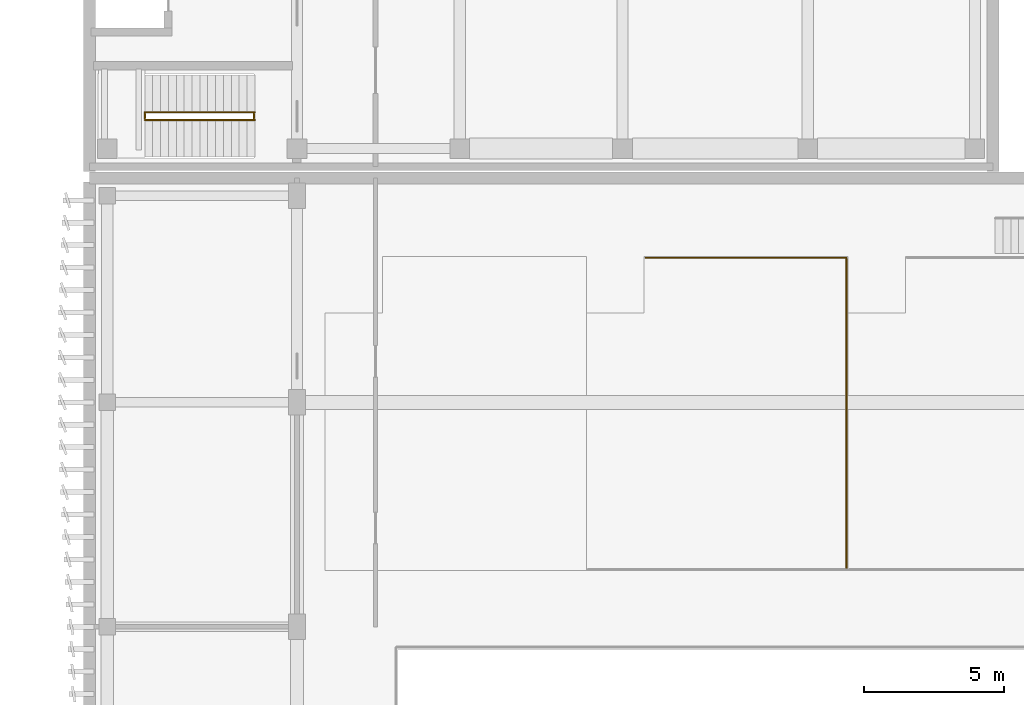
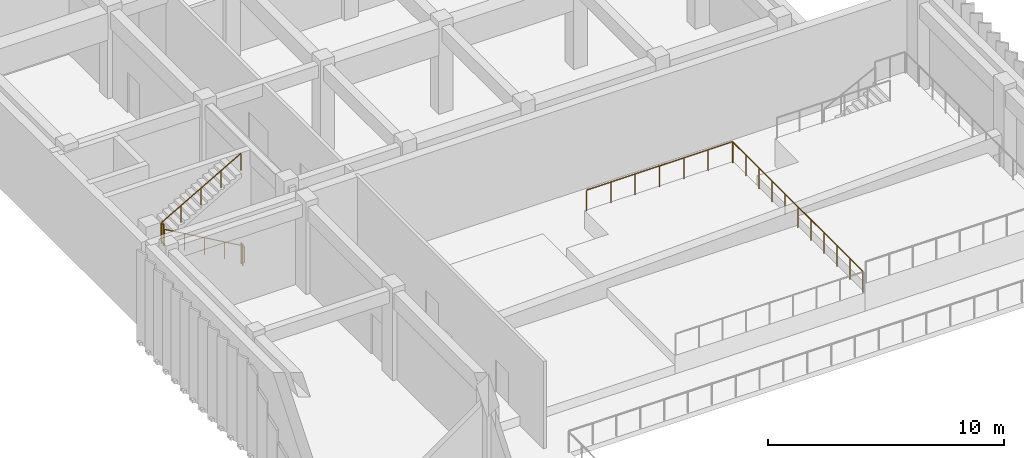
# One storey, part 55 of 64: 6 railings.
"""IFC4 building model written with IfcOpenShell, lengths in metres."""

import ifcopenshell
import ifcopenshell.guid

model = None  # the IFC model being written
_history = None  # IfcOwnerHistory: only IFC2X3 demands one
_inside = {}  # id of a spatial element -> (the spatial element, [elements in it])
_under = {}  # id of a project, library or spatial element -> (it, [spatial elements below it])
_declared = {}  # id of a project -> (the project, [libraries it declares])
_typed = {}  # id of a type object -> (the type object, [elements of that type])
_made_of = {}  # id of a material, layer set ... -> (it, [elements and type objects made of it])


def new_model(schema):
    """Start an empty IFC model of exactly this schema.

    Asked for "IFC4X3", IfcOpenShell would pick the latest addendum, in which some entities
    have other attributes; the version numbers below select the first issue.
    IFC2X3 requires an IfcOwnerHistory on every rooted entity: one is made here for all.
    """
    global model, _history
    if schema == "IFC4X3":
        model = ifcopenshell.file(schema_version=(4, 3, 0, 0))
    else:
        model = ifcopenshell.file(schema=schema)
    _inside.clear()
    _under.clear()
    _declared.clear()
    _typed.clear()
    _made_of.clear()
    _history = None
    if model.schema == "IFC2X3":
        org = make("IfcOrganization", Name="unknown")
        user = make(
            "IfcPersonAndOrganization",
            ThePerson=make("IfcPerson", FamilyName="unknown"),
            TheOrganization=org,
        )
        app = make(
            "IfcApplication",
            ApplicationDeveloper=org,
            Version="unknown",
            ApplicationFullName="unknown",
            ApplicationIdentifier="unknown",
        )
        _history = make(
            "IfcOwnerHistory",
            OwningUser=user,
            OwningApplication=app,
            ChangeAction="ADDED",
            CreationDate=0,
        )
    return model


def make(cls, **values):
    """One entity of the class cls with the attributes given. An attribute that is None is left unset."""
    return model.create_entity(
        cls, **{name: value for name, value in values.items() if value is not None}
    )


def rooted(cls, **values):
    """An entity with a GlobalId (a new one), such as an element, a storey or a relation."""
    return make(cls, GlobalId=ifcopenshell.guid.new(), OwnerHistory=_history, **values)


def si_unit(unit_type, name, prefix=None):
    """IfcSIUnit, for example si_unit("LENGTHUNIT", "METRE", prefix="MILLI")."""
    return make("IfcSIUnit", UnitType=unit_type, Prefix=prefix, Name=name)


def assignment(units):
    """IfcUnitAssignment: the units of a project."""
    return None if units is None else make("IfcUnitAssignment", Units=units)


def point(xyz):
    """IfcCartesianPoint."""
    return None if xyz is None else make("IfcCartesianPoint", Coordinates=xyz)


def direction(xyz):
    """IfcDirection."""
    return None if xyz is None else make("IfcDirection", DirectionRatios=xyz)


def frame(location, z_axis=None, x_axis=None):
    """IfcAxis2Placement3D, a coordinate frame: its origin and axes. An axis left out is left unset."""
    return make(
        "IfcAxis2Placement3D",
        Location=point(location),
        Axis=direction(z_axis),
        RefDirection=direction(x_axis),
    )


def frame_2d(location, x_axis=None):
    """IfcAxis2Placement2D, a coordinate frame in the plane: its origin and x axis."""
    return make(
        "IfcAxis2Placement2D", Location=point(location), RefDirection=direction(x_axis)
    )


def origin():
    """The frame at (0, 0, 0) with its axes left unset."""
    return frame((0.0, 0.0, 0.0))


def origin_2d():
    """The frame at (0, 0) in the plane with its x axis left unset."""
    return frame_2d((0.0, 0.0))


def place(relative_to, where):
    """IfcLocalPlacement: puts the frame where relative to a parent placement (None: the world)."""
    return make(
        "IfcLocalPlacement", PlacementRelTo=relative_to, RelativePlacement=where
    )


def context(
    kind, dimensions, precision=None, world=None, true_north=None, identifier=None
):
    """IfcGeometricRepresentationContext, for example the 3D "Model" context."""
    return make(
        "IfcGeometricRepresentationContext",
        ContextIdentifier=identifier,
        ContextType=kind,
        CoordinateSpaceDimension=dimensions,
        Precision=precision,
        WorldCoordinateSystem=world,
        TrueNorth=true_north,
    )


def subcontext(parent, identifier, kind, view, scale=None):
    """IfcGeometricRepresentationSubContext, for example "Body" below "Model"."""
    return make(
        "IfcGeometricRepresentationSubContext",
        ContextIdentifier=identifier,
        ContextType=kind,
        ParentContext=parent,
        TargetScale=scale,
        TargetView=view,
    )


def project(units=None, contexts=None):
    """IfcProject with its units and contexts."""
    return rooted(
        "IfcProject",
        Name="project",
        RepresentationContexts=contexts,
        UnitsInContext=assignment(units),
    )


def spatial(cls, under=None, at=None, **own):
    """A site, building, storey or space (cls), placed at a placement, below another one or the project."""
    s = rooted(cls, ObjectPlacement=at, **own)
    if under is not None:
        _under.setdefault(under.id(), (under, []))[1].append(s)
    return s


def profile(cls, at=None, kind="AREA", **sizes):
    """A parametric profile (cls). Its sizes go by their IFC names, for example OverallWidth=200.0."""
    return make(cls, ProfileType=kind, Position=at, **sizes)


def circle(**sizes):
    """IfcCircleProfileDef."""
    return profile("IfcCircleProfileDef", **sizes)


def extrude(swept, where, along, depth):
    """IfcExtrudedAreaSolid: the profile swept, set in the frame where, extruded along a direction by depth."""
    return make(
        "IfcExtrudedAreaSolid",
        SweptArea=swept,
        Position=where,
        ExtrudedDirection=direction(along),
        Depth=depth,
    )


def shape(context_of_items, identifier, shape_type, items):
    """IfcShapeRepresentation: the items that make up one representation, for example the "Body"."""
    return make(
        "IfcShapeRepresentation",
        ContextOfItems=context_of_items,
        RepresentationIdentifier=identifier,
        RepresentationType=shape_type,
        Items=items,
    )


def material(Name=None, Category=None):
    """IfcMaterial."""
    return make("IfcMaterial", Name=Name, Category=Category)


def made_of(thing, what):
    """Note that an element or type object is made of a material, layer set ...; save() writes the relation."""
    if what is not None:
        _made_of.setdefault(what.id(), (what, []))[1].append(thing)
    return thing


def type_object(cls, material=None, **own):
    """A type object (cls), such as IfcWallType, which elements share."""
    return made_of(rooted(cls, **own), material)


def element(
    cls,
    number,
    at=None,
    inside=None,
    cuts=None,
    type_object=None,
    material=None,
    context=None,
    identifier="Body",
    shape_type=None,
    held_by="IfcProductDefinitionShape",
    body=None,
    shapes=None,
    **own,
):
    """One element of the class cls, such as IfcWall. Its Tag is "e" and its number.

    at: its placement. inside: the storey or other place that contains it. cuts: it is an
    opening in that element (IfcRelVoidsElement). A single representation is given by context,
    identifier, shape_type and body (its items); several are given by shapes. held_by: the class
    of the entity that holds the representations. save() writes the other relations.
    """
    e = rooted(cls, Tag="e%d" % number, ObjectPlacement=at, **own)
    if body is not None:
        shapes = [shape(context, identifier, shape_type, body)]
    if shapes is not None:
        e.Representation = make(held_by, Representations=shapes)
    if inside is not None:
        _inside.setdefault(inside.id(), (inside, []))[1].append(e)
    if cuts is not None:
        rooted(
            "IfcRelVoidsElement", RelatingBuildingElement=cuts, RelatedOpeningElement=e
        )
    if type_object is not None:
        _typed.setdefault(type_object.id(), (type_object, []))[1].append(e)
    return made_of(e, material)


def aggregate(whole, parts):
    """IfcRelAggregates: a whole, such as a stair, and the parts it consists of."""
    return rooted("IfcRelAggregates", RelatingObject=whole, RelatedObjects=parts)


def save(model, path):
    """Write the relations noted so far, then the file.

    IfcRelAggregates (storeys below a building ...), IfcRelContainedInSpatialStructure (elements
    in a storey), IfcRelDefinesByType, IfcRelAssociatesMaterial and IfcRelDeclares: one each for
    every whole, place, type object, material and project.
    """
    for whole, parts in _under.values():
        aggregate(whole, parts)
    for where, things in _inside.values():
        rooted(
            "IfcRelContainedInSpatialStructure",
            RelatedElements=things,
            RelatingStructure=where,
        )
    for kind, things in _typed.values():
        rooted("IfcRelDefinesByType", RelatedObjects=things, RelatingType=kind)
    for what, things in _made_of.values():
        rooted("IfcRelAssociatesMaterial", RelatedObjects=things, RelatingMaterial=what)
    for by, libraries in _declared.values():
        rooted("IfcRelDeclares", RelatingContext=by, RelatedDefinitions=libraries)
    model.write(path)


model = new_model("IFC4")

# Units and contexts
model_context = context("Model", 3, precision=1e-05, world=origin(), true_north=direction((0.0, 1.0)))
body_context = subcontext(model_context, "Body", "Model", "MODEL_VIEW")
ifc_project = project(units=[si_unit("LENGTHUNIT", "METRE"), si_unit("AREAUNIT", "SQUARE_METRE"), si_unit("VOLUMEUNIT", "CUBIC_METRE"), si_unit("PLANEANGLEUNIT", "RADIAN"), si_unit("MASSUNIT", "GRAM", prefix="KILO")], contexts=[model_context])

# Site, building, storey
site_placement = place(None, origin())
site = spatial("IfcSite", under=ifc_project, at=site_placement, CompositionType="ELEMENT")
building_placement = place(site_placement, origin())
building = spatial("IfcBuilding", under=site, at=building_placement, Name="Cinchona Park Media Centre", CompositionType="ELEMENT")
storey_placement = place(building_placement, frame((0.0, 0.0, 5.39990234375)))
storey = spatial("IfcBuildingStorey", under=building, at=storey_placement, Name="L01", CompositionType="ELEMENT", Elevation=5.39990234375)

# Railings
ifc_material_1 = material(Name="Painted Steel Stairwell Guardrail", Category="steel")
railing_type_1 = type_object("IfcRailingType", Name="RAILING-GR02", PredefinedType="GUARDRAIL", material=ifc_material_1)
for number, where, name in (
    (1, (13.864990234375, 65.719970703125, 0.0), "Stairwell Guardrail GR02 ST3 L01"),
    (2, (9.97998046875, 65.719970703125, 2.400146484375), "Half-Landing Guardrail GR02 ST3 L01"),
):
    element("IfcRailing", number, at=place(storey_placement, frame(where)), inside=storey, type_object=railing_type_1, Name=name, PredefinedType="GUARDRAIL", context=body_context, shape_type="SweptSolid", body=[
        extrude(circle(Radius=0.02392578125, at=origin_2d()), frame((0.0, 0.0, 1.076171875), z_axis=(0.0, 1.0, 0.0), x_axis=(-1.0, 0.0, 0.0)), (0.0, 0.0, 1.0), 0.159912109375),
        extrude(circle(Radius=0.02099609375, at=origin_2d()), origin(), (0.0, 0.0, 1.0), 1.052001953125),
        extrude(circle(Radius=0.02099609375, at=origin_2d()), frame((0.0, 0.159912109375, 0.0)), (0.0, 0.0, 1.0), 1.052001953125),
    ])
railing_1_placement = place(storey_placement, frame((34.97998046875, 49.679931640625, 0.960205078125)))
element("IfcRailing", 3, at=railing_1_placement, inside=storey, type_object=railing_type_1, Name="Auditorium Tier Guardrail GR02 144", PredefinedType="GUARDRAIL", context=body_context, shape_type="SweptSolid", body=[
    extrude(circle(Radius=0.02392578125, at=origin_2d()), frame((0.0, 0.0, 1.076171875), z_axis=(0.0, 1.0, 0.0), x_axis=(-1.0, 0.0, 0.0)), (0.0, 0.0, 1.0), 11.0400390625),
    extrude(circle(Radius=0.02099609375, at=origin_2d()), origin(), (0.0, 0.0, 1.0), 1.052001953125),
    extrude(circle(Radius=0.02099609375, at=origin_2d()), frame((0.0, 1.10400390625, 0.0)), (0.0, 0.0, 1.0), 1.052001953125),
    extrude(circle(Radius=0.02099609375, at=origin_2d()), frame((0.0, 2.2080078125, 0.0)), (0.0, 0.0, 1.0), 1.052001953125),
    extrude(circle(Radius=0.02099609375, at=origin_2d()), frame((0.0, 3.31201171875, 0.0)), (0.0, 0.0, 1.0), 1.052001953125),
    extrude(circle(Radius=0.02099609375, at=origin_2d()), frame((0.0, 4.416015625, 0.0)), (0.0, 0.0, 1.0), 1.052001953125),
    extrude(circle(Radius=0.02099609375, at=origin_2d()), frame((0.0, 5.52001953125, 0.0)), (0.0, 0.0, 1.0), 1.052001953125),
    extrude(circle(Radius=0.02099609375, at=origin_2d()), frame((0.0, 6.6240234375, 0.0)), (0.0, 0.0, 1.0), 1.052001953125),
    extrude(circle(Radius=0.02099609375, at=origin_2d()), frame((0.0, 7.72802734375, 0.0)), (0.0, 0.0, 1.0), 1.052001953125),
    extrude(circle(Radius=0.02099609375, at=origin_2d()), frame((0.0, 8.83203125, 0.0)), (0.0, 0.0, 1.0), 1.052001953125),
    extrude(circle(Radius=0.02099609375, at=origin_2d()), frame((0.0, 9.93603515625, 0.0)), (0.0, 0.0, 1.0), 1.052001953125),
    extrude(circle(Radius=0.02099609375, at=origin_2d()), frame((0.0, 11.0400390625, 0.0)), (0.0, 0.0, 1.0), 1.052001953125),
])
railing_2_placement = place(storey_placement, frame((34.97998046875, 60.75, 0.960205078125)))
element("IfcRailing", 4, at=railing_2_placement, inside=storey, type_object=railing_type_1, Name="Auditorium Tier Side Guardrail GR02 146", PredefinedType="GUARDRAIL", context=body_context, shape_type="SweptSolid", body=[
    extrude(circle(Radius=0.02392578125, at=origin_2d()), frame((0.0, 0.0, 1.076171875), z_axis=(-1.0, 0.0, 0.0), x_axis=(0.0, -1.0, 0.0)), (0.0, 0.0, 1.0), 7.14990234375),
    extrude(circle(Radius=0.02099609375, at=origin_2d()), origin(), (0.0, 0.0, 1.0), 1.052001953125),
    extrude(circle(Radius=0.02099609375, at=origin_2d()), frame((-1.191650390625, 0.0, 0.0)), (0.0, 0.0, 1.0), 1.052001953125),
    extrude(circle(Radius=0.02099609375, at=origin_2d()), frame((-2.38330078125, 0.0, 0.0)), (0.0, 0.0, 1.0), 1.052001953125),
    extrude(circle(Radius=0.02099609375, at=origin_2d()), frame((-3.574951171875, 0.0, 0.0)), (0.0, 0.0, 1.0), 1.052001953125),
    extrude(circle(Radius=0.02099609375, at=origin_2d()), frame((-4.7666015625, 0.0, 0.0)), (0.0, 0.0, 1.0), 1.052001953125),
    extrude(circle(Radius=0.02099609375, at=origin_2d()), frame((-5.958251953125, 0.0, 0.0)), (0.0, 0.0, 1.0), 1.052001953125),
    extrude(circle(Radius=0.02099609375, at=origin_2d()), frame((-7.14990234375, 0.0, 0.0)), (0.0, 0.0, 1.0), 1.052001953125),
])
ifc_material_2 = material(Name="Brushed Stainless Steel Handrail", Category="steel")
railing_type_2 = type_object("IfcRailingType", Name="RAILING-HR01", PredefinedType="HANDRAIL", material=ifc_material_2)
railing_3_placement = place(storey_placement, frame((13.89990234375, 65.659912109375, 0.16015625)))
element("IfcRailing", 5, at=railing_3_placement, inside=storey, type_object=railing_type_2, Name="Stair Handrail HR01 ST3 L01 F1", PredefinedType="HANDRAIL", context=body_context, shape_type="SweptSolid", body=[
    extrude(circle(Radius=0.02392578125, at=origin_2d()), frame((0.0, 0.0, 0.8759765625), z_axis=(-0.868239814368, 0.0, 0.496144761885), x_axis=(0.0, -1.0, 0.0)), (0.0, 0.0, 1.0), 4.514892578125),
    extrude(circle(Radius=0.02099609375, at=origin_2d()), origin(), (0.0, 0.0, 1.0), 0.851806640625),
    extrude(circle(Radius=0.02099609375, at=origin_2d()), frame((-0.97998046875, 0.0, 0.56005859375)), (0.0, 0.0, 1.0), 0.851806640625),
    extrude(circle(Radius=0.02099609375, at=origin_2d()), frame((-1.9599609375, 0.0, 1.1201171875)), (0.0, 0.0, 1.0), 0.851806640625),
    extrude(circle(Radius=0.02099609375, at=origin_2d()), frame((-2.93994140625, 0.0, 1.679931640625)), (0.0, 0.0, 1.0), 0.851806640625),
    extrude(circle(Radius=0.02099609375, at=origin_2d()), frame((-3.919921875, 0.0, 2.239990234375)), (0.0, 0.0, 1.0), 0.851806640625),
])
railing_4_placement = place(storey_placement, frame((9.97998046875, 65.93994140625, 2.56005859375)))
element("IfcRailing", 6, at=railing_4_placement, inside=storey, type_object=railing_type_2, Name="Stair Handrail HR01 ST3 L01 F2", PredefinedType="HANDRAIL", context=body_context, shape_type="SweptSolid", body=[
    extrude(circle(Radius=0.02392578125, at=origin_2d()), frame((0.0, 0.0, 0.8759765625), z_axis=(0.868239814368, 0.0, 0.496144761885), x_axis=(0.0, 1.0, 0.0)), (0.0, 0.0, 1.0), 4.514892578125),
    extrude(circle(Radius=0.02099609375, at=origin_2d()), origin(), (0.0, 0.0, 1.0), 0.851806640625),
    extrude(circle(Radius=0.02099609375, at=origin_2d()), frame((0.97998046875, 0.0, 0.56005859375)), (0.0, 0.0, 1.0), 0.851806640625),
    extrude(circle(Radius=0.02099609375, at=origin_2d()), frame((1.9599609375, 0.0, 1.1201171875)), (0.0, 0.0, 1.0), 0.851806640625),
    extrude(circle(Radius=0.02099609375, at=origin_2d()), frame((2.93994140625, 0.0, 1.679931640625)), (0.0, 0.0, 1.0), 0.851806640625),
    extrude(circle(Radius=0.02099609375, at=origin_2d()), frame((3.919921875, 0.0, 2.239990234375)), (0.0, 0.0, 1.0), 0.851806640625),
])

save(model, "model.ifc")
